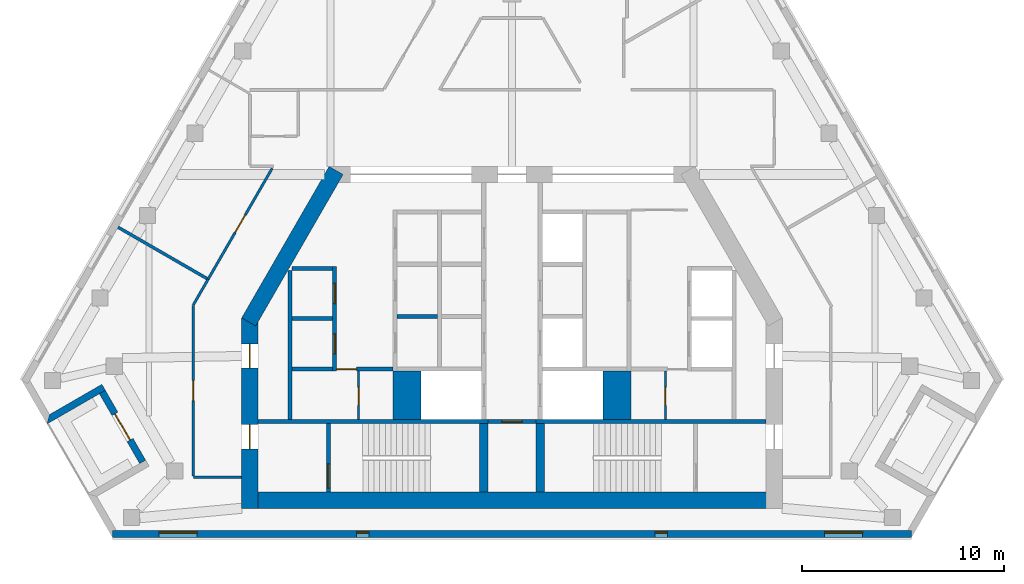
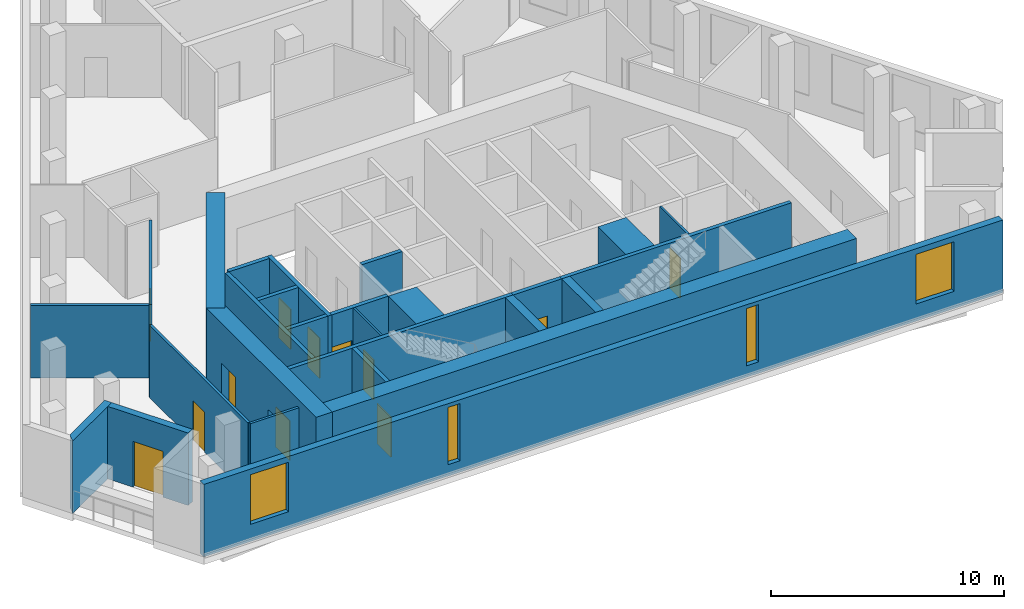
# One storey, part 2 of 8: 28 walls, 12 doors, 4 windows, 16 openings.
"""IFC4 building model written with IfcOpenShell, lengths in metres."""

import ifcopenshell
import ifcopenshell.guid

model = None  # the IFC model being written
_history = None  # IfcOwnerHistory: only IFC2X3 demands one
_inside = {}  # id of a spatial element -> (the spatial element, [elements in it])
_under = {}  # id of a project, library or spatial element -> (it, [spatial elements below it])
_declared = {}  # id of a project -> (the project, [libraries it declares])
_typed = {}  # id of a type object -> (the type object, [elements of that type])
_made_of = {}  # id of a material, layer set ... -> (it, [elements and type objects made of it])


def new_model(schema):
    """Start an empty IFC model of exactly this schema.

    Asked for "IFC4X3", IfcOpenShell would pick the latest addendum, in which some entities
    have other attributes; the version numbers below select the first issue.
    IFC2X3 requires an IfcOwnerHistory on every rooted entity: one is made here for all.
    """
    global model, _history
    if schema == "IFC4X3":
        model = ifcopenshell.file(schema_version=(4, 3, 0, 0))
    else:
        model = ifcopenshell.file(schema=schema)
    _inside.clear()
    _under.clear()
    _declared.clear()
    _typed.clear()
    _made_of.clear()
    _history = None
    if model.schema == "IFC2X3":
        org = make("IfcOrganization", Name="unknown")
        user = make(
            "IfcPersonAndOrganization",
            ThePerson=make("IfcPerson", FamilyName="unknown"),
            TheOrganization=org,
        )
        app = make(
            "IfcApplication",
            ApplicationDeveloper=org,
            Version="unknown",
            ApplicationFullName="unknown",
            ApplicationIdentifier="unknown",
        )
        _history = make(
            "IfcOwnerHistory",
            OwningUser=user,
            OwningApplication=app,
            ChangeAction="ADDED",
            CreationDate=0,
        )
    return model


def make(cls, **values):
    """One entity of the class cls with the attributes given. An attribute that is None is left unset."""
    return model.create_entity(
        cls, **{name: value for name, value in values.items() if value is not None}
    )


def rooted(cls, **values):
    """An entity with a GlobalId (a new one), such as an element, a storey or a relation."""
    return make(cls, GlobalId=ifcopenshell.guid.new(), OwnerHistory=_history, **values)


def si_unit(unit_type, name, prefix=None):
    """IfcSIUnit, for example si_unit("LENGTHUNIT", "METRE", prefix="MILLI")."""
    return make("IfcSIUnit", UnitType=unit_type, Prefix=prefix, Name=name)


def assignment(units):
    """IfcUnitAssignment: the units of a project."""
    return None if units is None else make("IfcUnitAssignment", Units=units)


def point(xyz):
    """IfcCartesianPoint."""
    return None if xyz is None else make("IfcCartesianPoint", Coordinates=xyz)


def direction(xyz):
    """IfcDirection."""
    return None if xyz is None else make("IfcDirection", DirectionRatios=xyz)


def frame(location, z_axis=None, x_axis=None):
    """IfcAxis2Placement3D, a coordinate frame: its origin and axes. An axis left out is left unset."""
    return make(
        "IfcAxis2Placement3D",
        Location=point(location),
        Axis=direction(z_axis),
        RefDirection=direction(x_axis),
    )


def frame_2d(location, x_axis=None):
    """IfcAxis2Placement2D, a coordinate frame in the plane: its origin and x axis."""
    return make(
        "IfcAxis2Placement2D", Location=point(location), RefDirection=direction(x_axis)
    )


def origin():
    """The frame at (0, 0, 0) with its axes left unset."""
    return frame((0.0, 0.0, 0.0))


def place(relative_to, where):
    """IfcLocalPlacement: puts the frame where relative to a parent placement (None: the world)."""
    return make(
        "IfcLocalPlacement", PlacementRelTo=relative_to, RelativePlacement=where
    )


def context(
    kind, dimensions, precision=None, world=None, true_north=None, identifier=None
):
    """IfcGeometricRepresentationContext, for example the 3D "Model" context."""
    return make(
        "IfcGeometricRepresentationContext",
        ContextIdentifier=identifier,
        ContextType=kind,
        CoordinateSpaceDimension=dimensions,
        Precision=precision,
        WorldCoordinateSystem=world,
        TrueNorth=true_north,
    )


def subcontext(parent, identifier, kind, view, scale=None):
    """IfcGeometricRepresentationSubContext, for example "Body" below "Model"."""
    return make(
        "IfcGeometricRepresentationSubContext",
        ContextIdentifier=identifier,
        ContextType=kind,
        ParentContext=parent,
        TargetScale=scale,
        TargetView=view,
    )


def project(units=None, contexts=None):
    """IfcProject with its units and contexts."""
    return rooted(
        "IfcProject",
        Name="project",
        RepresentationContexts=contexts,
        UnitsInContext=assignment(units),
    )


def spatial(cls, under=None, at=None, **own):
    """A site, building, storey or space (cls), placed at a placement, below another one or the project."""
    s = rooted(cls, ObjectPlacement=at, **own)
    if under is not None:
        _under.setdefault(under.id(), (under, []))[1].append(s)
    return s


def polyline(points):
    """IfcPolyline through the points."""
    return make("IfcPolyline", Points=[point(p) for p in points])


def profile(cls, at=None, kind="AREA", **sizes):
    """A parametric profile (cls). Its sizes go by their IFC names, for example OverallWidth=200.0."""
    return make(cls, ProfileType=kind, Position=at, **sizes)


def rectangle(**sizes):
    """IfcRectangleProfileDef."""
    return profile("IfcRectangleProfileDef", **sizes)


def outline(outer, holes=None, kind="AREA"):
    """IfcArbitraryClosedProfileDef: a profile drawn as a closed curve; with holes, ...WithVoids."""
    if holes is None:
        return make("IfcArbitraryClosedProfileDef", ProfileType=kind, OuterCurve=outer)
    return make(
        "IfcArbitraryProfileDefWithVoids",
        ProfileType=kind,
        OuterCurve=outer,
        InnerCurves=holes,
    )


def extrude(swept, where, along, depth):
    """IfcExtrudedAreaSolid: the profile swept, set in the frame where, extruded along a direction by depth."""
    return make(
        "IfcExtrudedAreaSolid",
        SweptArea=swept,
        Position=where,
        ExtrudedDirection=direction(along),
        Depth=depth,
    )


def shape(context_of_items, identifier, shape_type, items):
    """IfcShapeRepresentation: the items that make up one representation, for example the "Body"."""
    return make(
        "IfcShapeRepresentation",
        ContextOfItems=context_of_items,
        RepresentationIdentifier=identifier,
        RepresentationType=shape_type,
        Items=items,
    )


def material(Name=None, Category=None):
    """IfcMaterial."""
    return make("IfcMaterial", Name=Name, Category=Category)


def layer(
    of_material, thickness, ventilated=None, Name=None, Category=None, Priority=None
):
    """IfcMaterialLayer: one layer of a wall or slab, of a material (None: an air gap)."""
    return make(
        "IfcMaterialLayer",
        Material=of_material,
        LayerThickness=thickness,
        IsVentilated=ventilated,
        Name=Name,
        Category=Category,
        Priority=Priority,
    )


def layer_set(layers, Name=None):
    """IfcMaterialLayerSet."""
    return make("IfcMaterialLayerSet", MaterialLayers=layers, LayerSetName=Name)


def made_of(thing, what):
    """Note that an element or type object is made of a material, layer set ...; save() writes the relation."""
    if what is not None:
        _made_of.setdefault(what.id(), (what, []))[1].append(thing)
    return thing


def type_object(cls, material=None, **own):
    """A type object (cls), such as IfcWallType, which elements share."""
    return made_of(rooted(cls, **own), material)


def element(
    cls,
    number,
    at=None,
    inside=None,
    cuts=None,
    type_object=None,
    material=None,
    context=None,
    identifier="Body",
    shape_type=None,
    held_by="IfcProductDefinitionShape",
    body=None,
    shapes=None,
    **own,
):
    """One element of the class cls, such as IfcWall. Its Tag is "e" and its number.

    at: its placement. inside: the storey or other place that contains it. cuts: it is an
    opening in that element (IfcRelVoidsElement). A single representation is given by context,
    identifier, shape_type and body (its items); several are given by shapes. held_by: the class
    of the entity that holds the representations. save() writes the other relations.
    """
    e = rooted(cls, Tag="e%d" % number, ObjectPlacement=at, **own)
    if body is not None:
        shapes = [shape(context, identifier, shape_type, body)]
    if shapes is not None:
        e.Representation = make(held_by, Representations=shapes)
    if inside is not None:
        _inside.setdefault(inside.id(), (inside, []))[1].append(e)
    if cuts is not None:
        rooted(
            "IfcRelVoidsElement", RelatingBuildingElement=cuts, RelatedOpeningElement=e
        )
    if type_object is not None:
        _typed.setdefault(type_object.id(), (type_object, []))[1].append(e)
    return made_of(e, material)


def fill(opening, filler):
    """IfcRelFillsElement: the door or window that sits in an opening."""
    return rooted(
        "IfcRelFillsElement",
        RelatingOpeningElement=opening,
        RelatedBuildingElement=filler,
    )


def aggregate(whole, parts):
    """IfcRelAggregates: a whole, such as a stair, and the parts it consists of."""
    return rooted("IfcRelAggregates", RelatingObject=whole, RelatedObjects=parts)


def save(model, path):
    """Write the relations noted so far, then the file.

    IfcRelAggregates (storeys below a building ...), IfcRelContainedInSpatialStructure (elements
    in a storey), IfcRelDefinesByType, IfcRelAssociatesMaterial and IfcRelDeclares: one each for
    every whole, place, type object, material and project.
    """
    for whole, parts in _under.values():
        aggregate(whole, parts)
    for where, things in _inside.values():
        rooted(
            "IfcRelContainedInSpatialStructure",
            RelatedElements=things,
            RelatingStructure=where,
        )
    for kind, things in _typed.values():
        rooted("IfcRelDefinesByType", RelatedObjects=things, RelatingType=kind)
    for what, things in _made_of.values():
        rooted("IfcRelAssociatesMaterial", RelatedObjects=things, RelatingMaterial=what)
    for by, libraries in _declared.values():
        rooted("IfcRelDeclares", RelatingContext=by, RelatedDefinitions=libraries)
    model.write(path)


model = new_model("IFC4")

# Units and contexts
model_context = context("Model", 3, precision=1e-05, world=origin(), true_north=direction((0.0, 1.0)))
body_context = subcontext(model_context, "Body", "Model", "MODEL_VIEW")
ifc_project = project(units=[si_unit("LENGTHUNIT", "METRE"), si_unit("AREAUNIT", "SQUARE_METRE"), si_unit("VOLUMEUNIT", "CUBIC_METRE"), si_unit("PLANEANGLEUNIT", "RADIAN"), si_unit("MASSUNIT", "GRAM", prefix="KILO")], contexts=[model_context])

# Site, building, storey
site_placement = place(None, origin())
site = spatial("IfcSite", under=ifc_project, at=site_placement, CompositionType="ELEMENT")
building_placement = place(site_placement, origin())
building = spatial("IfcBuilding", under=site, at=building_placement, Name="Fogline Exchange Tower", CompositionType="ELEMENT")
storey_placement = place(building_placement, frame((0.0, 0.0, 322.5)))
storey = spatial("IfcBuildingStorey", under=building, at=storey_placement, Name="L73", CompositionType="ELEMENT", Elevation=322.5)

# Wall, opening, door
ifc_material_1 = material(Name="Blockwork partition", Category="masonry")
ifc_layer_1 = layer(ifc_material_1, 0.10009765625)
ifc_layer_set_1 = layer_set([ifc_layer_1], Name="CW10")
wall_type_1 = type_object("IfcWallType", Name="CW10", PredefinedType="PARTITIONING", material=ifc_layer_set_1)
wall_1_placement = place(storey_placement, frame((-7.60009765625, 5.85009765625, 0.0), z_axis=(0.0, 0.0, 1.0), x_axis=(0.0, 1.0, 0.0)))
wall_1 = element("IfcWall", 1, at=wall_1_placement, inside=storey, type_object=wall_type_1, Name="WC partition", PredefinedType="PARTITIONING", context=body_context, shape_type="SweptSolid", body=[
    extrude(rectangle(XDim=2.39990234375, YDim=0.10009765625, at=frame_2d((1.199951171875, 0.0))), origin(), (0.0, 0.0, 1.0), 3.800048828125),
])
opening_1_placement = place(wall_1_placement, frame((0.699951171875, 0.0, 0.0)))
opening_1 = element("IfcOpeningElement", 2, at=opening_1_placement, cuts=wall_1, Name="Opening T23-C013", PredefinedType="OPENING", context=body_context, shape_type="SweptSolid", body=[
    extrude(rectangle(XDim=0.89990234375, YDim=2.10009765625, at=frame_2d((0.449951171875, 1.050048828125))), frame((0.0, 0.06005859375, 0.0), z_axis=(0.0, -1.0, 0.0), x_axis=(1.0, 0.0, 0.0)), (0.0, 0.0, 1.0), 0.1201171875),
])
ifc_material_2 = material(Name="Steel and timber fire door", Category="steel")
door_type_1 = type_object("IfcDoorType", Name="D-CS1", OperationType="SINGLE_SWING_RIGHT", PredefinedType="DOOR", material=ifc_material_2)
door_1_placement = place(opening_1_placement, frame((0.89990234375, 0.0, 0.0), z_axis=(0.0, 0.0, 1.0), x_axis=(-1.0, 0.0, 0.0)))
door_1 = element("IfcDoor", 3, at=door_1_placement, inside=storey, type_object=door_type_1, Name="Door to Cleaner's Store", OperationType="SINGLE_SWING_RIGHT", OverallHeight=2.10009765625, OverallWidth=0.89990234375, PredefinedType="DOOR", context=body_context, shape_type="SweptSolid", body=[
    extrude(rectangle(XDim=0.89990234375, YDim=2.10009765625, at=frame_2d((0.449951171875, 1.050048828125))), frame((0.0, 0.02490234375, 0.0), z_axis=(0.0, -1.0, 0.0), x_axis=(1.0, 0.0, 0.0)), (0.0, 0.0, 1.0), 0.050048828125),
])
fill(opening_1, door_1)

wall_2_placement = place(storey_placement, frame((7.60009765625, 5.85009765625, 0.0), z_axis=(0.0, 0.0, 1.0), x_axis=(0.0, 1.0, 0.0)))
wall_2 = element("IfcWall", 4, at=wall_2_placement, inside=storey, type_object=wall_type_1, Name="WC partition", PredefinedType="PARTITIONING", context=body_context, shape_type="SweptSolid", body=[
    extrude(rectangle(XDim=2.39990234375, YDim=0.10009765625, at=frame_2d((1.199951171875, 0.0))), origin(), (0.0, 0.0, 1.0), 3.800048828125),
])
opening_2_placement = place(wall_2_placement, frame((0.699951171875, 0.0, 0.0)))
opening_2 = element("IfcOpeningElement", 5, at=opening_2_placement, cuts=wall_2, Name="Opening T23-C019", PredefinedType="OPENING", context=body_context, shape_type="SweptSolid", body=[
    extrude(rectangle(XDim=0.89990234375, YDim=2.10009765625, at=frame_2d((0.449951171875, 1.050048828125))), frame((0.0, 0.06005859375, 0.0), z_axis=(0.0, -1.0, 0.0), x_axis=(1.0, 0.0, 0.0)), (0.0, 0.0, 1.0), 0.1201171875),
])
door_2_placement = place(opening_2_placement, origin())
door_2 = element("IfcDoor", 6, at=door_2_placement, inside=storey, type_object=door_type_1, Name="Door to Cleaner's Store", OperationType="SINGLE_SWING_LEFT", OverallHeight=2.10009765625, OverallWidth=0.89990234375, PredefinedType="DOOR", context=body_context, shape_type="SweptSolid", body=[
    extrude(rectangle(XDim=0.89990234375, YDim=2.10009765625, at=frame_2d((0.449951171875, 1.050048828125))), frame((0.0, 0.02490234375, 0.0), z_axis=(0.0, -1.0, 0.0), x_axis=(1.0, 0.0, 0.0)), (0.0, 0.0, 1.0), 0.050048828125),
])
fill(opening_2, door_2)

# Walls
ifc_material_3 = material(Name="Concrete C60", Category="concrete")
ifc_layer_2 = layer(ifc_material_3, 1.39990234375)
ifc_layer_set_2 = layer_set([ifc_layer_2], Name="CW140")
wall_type_2 = type_object("IfcWallType", Name="CW140", PredefinedType="SOLIDWALL", material=ifc_layer_set_2)
for number, where, z_axis, x_axis, name in (
    (7, (-5.199951171875, 5.85009765625, -0.39990234375), (0.0, 0.0, 1.0), (0.0, 1.0, 0.0), "Lift shaft block wall"),
    (8, (5.199951171875, 5.85009765625, -0.39990234375), (0.0, 0.0, 1.0), (0.0, 1.0, 0.0), "Lift shaft block wall"),
):
    element("IfcWall", number, at=place(storey_placement, frame(where, z_axis=z_axis, x_axis=x_axis)), inside=storey, type_object=wall_type_2, Name=name, PredefinedType="SOLIDWALL", context=body_context, shape_type="SweptSolid", body=[
        extrude(rectangle(XDim=2.39990234375, YDim=1.39990234375, at=frame_2d((1.199951171875, 0.0))), origin(), (0.0, 0.0, 1.0), 4.199951171875),
    ])
ifc_material_4 = material(Name="Concrete C40", Category="concrete")
ifc_layer_3 = layer(ifc_material_4, 0.199951171875)
ifc_layer_set_3 = layer_set([ifc_layer_3], Name="CW20")
wall_type_3 = type_object("IfcWallType", Name="CW20", PredefinedType="SOLIDWALL", material=ifc_layer_set_3)
wall_3_placement = place(storey_placement, frame((-11.0, 5.85009765625, 0.0), z_axis=(0.0, 0.0, 1.0), x_axis=(0.0, 1.0, 0.0)))
element("IfcWall", 9, at=wall_3_placement, inside=storey, type_object=wall_type_3, Name="Service room wall", PredefinedType="SOLIDWALL", context=body_context, shape_type="SweptSolid", body=[
    extrude(rectangle(XDim=7.39990234375, YDim=0.199951171875, at=frame_2d((3.699951171875, 0.0))), origin(), (0.0, 0.0, 1.0), 3.800048828125),
])
for number, where, z_axis, x_axis, name in (
    (10, (-10.89990234375, 10.85009765625, 0.0), (0.0, 0.0, 1.0), (1.0, 0.0, 0.0), "Service room wall"),
    (11, (-5.699951171875, 10.949951171875, 0.0), (0.0, 0.0, 1.0), (1.0, 0.0, 0.0), "Service room wall"),
):
    element("IfcWall", number, at=place(storey_placement, frame(where, z_axis=z_axis, x_axis=x_axis)), inside=storey, type_object=wall_type_3, Name=name, PredefinedType="SOLIDWALL", context=body_context, shape_type="SweptSolid", body=[
        extrude(rectangle(XDim=2.0, YDim=0.199951171875, at=frame_2d((1.0, 0.0))), origin(), (0.0, 0.0, 1.0), 3.800048828125),
    ])

# Wall, opening, door
wall_4_placement = place(storey_placement, frame((-8.699951171875, 8.35009765625, 0.0), z_axis=(0.0, 0.0, 1.0), x_axis=(1.0, 0.0, 0.0)))
wall_4 = element("IfcWall", 12, at=wall_4_placement, inside=storey, type_object=wall_type_3, Name="WC wall", PredefinedType="SOLIDWALL", context=body_context, shape_type="SweptSolid", body=[
    extrude(rectangle(XDim=2.800048828125, YDim=0.199951171875, at=frame_2d((1.39990234375, 0.0))), origin(), (0.0, 0.0, 1.0), 3.800048828125),
])
opening_3_placement = place(wall_4_placement, origin())
opening_3 = element("IfcOpeningElement", 13, at=opening_3_placement, cuts=wall_4, Name="Opening T23-C012", PredefinedType="OPENING", context=body_context, shape_type="SweptSolid", body=[
    extrude(rectangle(XDim=1.0, YDim=2.10009765625, at=frame_2d((0.5, 1.050048828125))), frame((0.0, 0.10986328125, 0.0), z_axis=(0.0, -1.0, 0.0), x_axis=(1.0, 0.0, 0.0)), (0.0, 0.0, 1.0), 0.219970703125),
])
door_type_2 = type_object("IfcDoorType", Name="D-WC1", OperationType="SINGLE_SWING_LEFT", PredefinedType="DOOR", material=ifc_material_2)
door_3_placement = place(opening_3_placement, frame((1.0, 0.0, 0.0), z_axis=(0.0, 0.0, 1.0), x_axis=(-1.0, 0.0, 0.0)))
door_3 = element("IfcDoor", 14, at=door_3_placement, inside=storey, type_object=door_type_2, Name="Door to Men's WC", OperationType="SINGLE_SWING_LEFT", OverallHeight=2.10009765625, OverallWidth=1.0, PredefinedType="DOOR", context=body_context, shape_type="SweptSolid", body=[
    extrude(rectangle(XDim=1.0, YDim=2.10009765625, at=frame_2d((0.5, 1.050048828125))), frame((0.0, 0.02490234375, 0.0), z_axis=(0.0, -1.0, 0.0), x_axis=(1.0, 0.0, 0.0)), (0.0, 0.0, 1.0), 0.050048828125),
])
fill(opening_3, door_3)

# Wall
ifc_layer_4 = layer(ifc_material_4, 0.199951171875)
ifc_layer_set_4 = layer_set([ifc_layer_4], Name="CW20R")
wall_type_4 = type_object("IfcWallType", Name="CW20R", PredefinedType="SOLIDWALL", material=ifc_layer_set_4)
wall_5_placement = place(storey_placement, frame((-12.60009765625, 5.75, -0.39990234375), z_axis=(0.0, 0.0, 1.0), x_axis=(1.0, 0.0, 0.0)))
element("IfcWall", 15, at=wall_5_placement, inside=storey, type_object=wall_type_4, Name="Stair enclosure wall", PredefinedType="SOLIDWALL", context=body_context, shape_type="SweptSolid", body=[
    extrude(rectangle(XDim=11.400146484375, YDim=0.199951171875, at=frame_2d((5.7001953125, 0.0))), origin(), (0.0, 0.0, 1.0), 4.199951171875),
])

# Wall, opening, door
wall_6_placement = place(storey_placement, frame((-1.199951171875, 5.75, -0.39990234375), z_axis=(0.0, 0.0, 1.0), x_axis=(1.0, 0.0, 0.0)))
wall_6 = element("IfcWall", 16, at=wall_6_placement, inside=storey, type_object=wall_type_4, Name="Stair enclosure wall", PredefinedType="SOLIDWALL", context=body_context, shape_type="SweptSolid", body=[
    extrude(rectangle(XDim=2.39990234375, YDim=0.199951171875, at=frame_2d((1.199951171875, 0.0))), origin(), (0.0, 0.0, 1.0), 4.199951171875),
])
opening_4_placement = place(wall_6_placement, frame((0.699951171875, 0.0, 0.39990234375)))
opening_4 = element("IfcOpeningElement", 17, at=opening_4_placement, cuts=wall_6, Name="Opening T23-C011", PredefinedType="OPENING", context=body_context, shape_type="SweptSolid", body=[
    extrude(rectangle(XDim=1.0, YDim=2.10009765625, at=frame_2d((0.5, 1.050048828125))), frame((0.0, 0.10986328125, 0.0), z_axis=(0.0, -1.0, 0.0), x_axis=(1.0, 0.0, 0.0)), (0.0, 0.0, 1.0), 0.219970703125),
])
door_type_3 = type_object("IfcDoorType", Name="D-RM1", OperationType="SINGLE_SWING_LEFT", PredefinedType="DOOR", material=ifc_material_2)
door_4_placement = place(opening_4_placement, frame((1.0, 0.0, 0.0), z_axis=(0.0, 0.0, 1.0), x_axis=(-1.0, 0.0, 0.0)))
door_4 = element("IfcDoor", 18, at=door_4_placement, inside=storey, type_object=door_type_3, Name="Door to Library Store", OperationType="SINGLE_SWING_RIGHT", OverallHeight=2.10009765625, OverallWidth=1.0, PredefinedType="DOOR", context=body_context, shape_type="SweptSolid", body=[
    extrude(rectangle(XDim=1.0, YDim=2.10009765625, at=frame_2d((0.5, 1.050048828125))), frame((0.0, 0.02490234375, 0.0), z_axis=(0.0, -1.0, 0.0), x_axis=(1.0, 0.0, 0.0)), (0.0, 0.0, 1.0), 0.050048828125),
])
fill(opening_4, door_4)

# Wall
wall_7_placement = place(storey_placement, frame((1.199951171875, 5.75, -0.39990234375), z_axis=(0.0, 0.0, 1.0), x_axis=(1.0, 0.0, 0.0)))
element("IfcWall", 19, at=wall_7_placement, inside=storey, type_object=wall_type_4, Name="Stair enclosure wall", PredefinedType="SOLIDWALL", context=body_context, shape_type="SweptSolid", body=[
    extrude(rectangle(XDim=11.400146484375, YDim=0.199951171875, at=frame_2d((5.7001953125, 0.0))), origin(), (0.0, 0.0, 1.0), 4.199951171875),
])

# Wall, opening, door
wall_8_placement = place(storey_placement, frame((-9.10009765625, 2.25, -0.39990234375), z_axis=(0.0, 0.0, 1.0), x_axis=(0.0, 1.0, 0.0)))
wall_8 = element("IfcWall", 20, at=wall_8_placement, inside=storey, type_object=wall_type_4, Name="Stair enclosure wall", PredefinedType="SOLIDWALL", context=body_context, shape_type="SweptSolid", body=[
    extrude(rectangle(XDim=3.39990234375, YDim=0.199951171875, at=frame_2d((1.699951171875, 0.0))), origin(), (0.0, 0.0, 1.0), 4.199951171875),
])
opening_5_placement = place(wall_8_placement, frame((0.199951171875, 0.0, 0.39990234375)))
opening_5 = element("IfcOpeningElement", 21, at=opening_5_placement, cuts=wall_8, Name="Opening T23-C015", PredefinedType="OPENING", context=body_context, shape_type="SweptSolid", body=[
    extrude(rectangle(XDim=1.199951171875, YDim=2.10009765625, at=frame_2d((0.60009765625, 1.050048828125))), frame((0.0, 0.10986328125, 0.0), z_axis=(0.0, -1.0, 0.0), x_axis=(1.0, 0.0, 0.0)), (0.0, 0.0, 1.0), 0.219970703125),
])
door_type_4 = type_object("IfcDoorType", Name="D-ST1", OperationType="SINGLE_SWING_LEFT", PredefinedType="DOOR", material=ifc_material_2)
door_5_placement = place(opening_5_placement, frame((1.199951171875, 0.0, 0.0), z_axis=(0.0, 0.0, 1.0), x_axis=(-1.0, 0.0, 0.0)))
door_5 = element("IfcDoor", 22, at=door_5_placement, inside=storey, type_object=door_type_4, Name="Stair door ST1", OperationType="SINGLE_SWING_RIGHT", OverallHeight=2.10009765625, OverallWidth=1.199951171875, PredefinedType="DOOR", context=body_context, shape_type="SweptSolid", body=[
    extrude(rectangle(XDim=1.199951171875, YDim=2.10009765625, at=frame_2d((0.60009765625, 1.050048828125))), frame((0.0, 0.02490234375, 0.0), z_axis=(0.0, -1.0, 0.0), x_axis=(1.0, 0.0, 0.0)), (0.0, 0.0, 1.0), 0.050048828125),
])
fill(opening_5, door_5)

# Wall, openings, doors
ifc_layer_5 = layer(ifc_material_4, 0.199951171875)
ifc_layer_set_5 = layer_set([ifc_layer_5], Name="CW20S")
wall_type_5 = type_object("IfcWallType", Name="CW20S", PredefinedType="SOLIDWALL", material=ifc_layer_set_5)
wall_9_placement = place(storey_placement, frame((-8.800048828125, 8.25, -0.39990234375), z_axis=(0.0, 0.0, 1.0), x_axis=(0.0, 1.0, 0.0)))
wall_9 = element("IfcWall", 23, at=wall_9_placement, inside=storey, type_object=wall_type_5, Name="Lift shaft wall", PredefinedType="SOLIDWALL", context=body_context, shape_type="SweptSolid", body=[
    extrude(rectangle(XDim=5.199951171875, YDim=0.199951171875, at=frame_2d((2.60009765625, 0.0))), origin(), (0.0, 0.0, 1.0), 4.199951171875),
])
opening_6_placement = place(wall_9_placement, frame((0.85009765625, 0.0, 0.39990234375)))
opening_6 = element("IfcOpeningElement", 24, at=opening_6_placement, cuts=wall_9, Name="Opening T23-C001", PredefinedType="OPENING", context=body_context, shape_type="SweptSolid", body=[
    extrude(rectangle(XDim=1.0, YDim=2.10009765625, at=frame_2d((0.5, 1.050048828125))), frame((0.0, 0.10986328125, 0.0), z_axis=(0.0, -1.0, 0.0), x_axis=(1.0, 0.0, 0.0)), (0.0, 0.0, 1.0), 0.219970703125),
])
opening_7_placement = place(wall_9_placement, frame((3.35009765625, 0.0, 0.39990234375)))
opening_7 = element("IfcOpeningElement", 25, at=opening_7_placement, cuts=wall_9, Name="Opening T23-C002", PredefinedType="OPENING", context=body_context, shape_type="SweptSolid", body=[
    extrude(rectangle(XDim=1.0, YDim=2.10009765625, at=frame_2d((0.5, 1.050048828125))), frame((0.0, 0.10986328125, 0.0), z_axis=(0.0, -1.0, 0.0), x_axis=(1.0, 0.0, 0.0)), (0.0, 0.0, 1.0), 0.219970703125),
])
door_6_placement = place(opening_6_placement, origin())
door_6 = element("IfcDoor", 26, at=door_6_placement, inside=storey, type_object=door_type_3, Name="Door to Riser Room", OperationType="SINGLE_SWING_RIGHT", OverallHeight=2.10009765625, OverallWidth=1.0, PredefinedType="DOOR", context=body_context, shape_type="SweptSolid", body=[
    extrude(rectangle(XDim=1.0, YDim=2.10009765625, at=frame_2d((0.5, 1.050048828125))), frame((0.0, 0.02490234375, 0.0), z_axis=(0.0, -1.0, 0.0), x_axis=(1.0, 0.0, 0.0)), (0.0, 0.0, 1.0), 0.050048828125),
])
fill(opening_6, door_6)
door_7_placement = place(opening_7_placement, origin())
door_7 = element("IfcDoor", 27, at=door_7_placement, inside=storey, type_object=door_type_3, Name="Door to Plant Room", OperationType="SINGLE_SWING_RIGHT", OverallHeight=2.10009765625, OverallWidth=1.0, PredefinedType="DOOR", context=body_context, shape_type="SweptSolid", body=[
    extrude(rectangle(XDim=1.0, YDim=2.10009765625, at=frame_2d((0.5, 1.050048828125))), frame((0.0, 0.02490234375, 0.0), z_axis=(0.0, -1.0, 0.0), x_axis=(1.0, 0.0, 0.0)), (0.0, 0.0, 1.0), 0.050048828125),
])
fill(opening_7, door_7)

# Walls
for number, where, z_axis, x_axis, name in (
    (28, (-10.89990234375, 8.35009765625, -0.39990234375), (0.0, 0.0, 1.0), (1.0, 0.0, 0.0), "Lift shaft wall"),
    (29, (-10.89990234375, 13.35009765625, -0.39990234375), (0.0, 0.0, 1.0), (1.0, 0.0, 0.0), "Lift shaft wall"),
):
    element("IfcWall", number, at=place(storey_placement, frame(where, z_axis=z_axis, x_axis=x_axis)), inside=storey, type_object=wall_type_5, Name=name, PredefinedType="SOLIDWALL", context=body_context, shape_type="SweptSolid", body=[
        extrude(rectangle(XDim=2.0, YDim=0.199951171875, at=frame_2d((1.0, 0.0))), origin(), (0.0, 0.0, 1.0), 4.199951171875),
    ])
ifc_layer_6 = layer(ifc_material_4, 0.39990234375)
ifc_layer_set_6 = layer_set([ifc_layer_6], Name="CW40R")
wall_type_6 = type_object("IfcWallType", Name="CW40R", PredefinedType="SOLIDWALL", material=ifc_layer_set_6)
for number, where, z_axis, x_axis, name in (
    (30, (-1.39990234375, 2.25, -0.39990234375), (0.0, 0.0, 1.0), (0.0, 1.0, 0.0), "Stair and lift shaft wall"),
    (31, (1.39990234375, 2.25, -0.39990234375), (0.0, 0.0, 1.0), (0.0, 1.0, 0.0), "Stair and lift shaft wall"),
):
    element("IfcWall", number, at=place(storey_placement, frame(where, z_axis=z_axis, x_axis=x_axis)), inside=storey, type_object=wall_type_6, Name=name, PredefinedType="SOLIDWALL", context=body_context, shape_type="SweptSolid", body=[
        extrude(rectangle(XDim=3.39990234375, YDim=0.39990234375, at=frame_2d((1.699951171875, 0.0))), origin(), (0.0, 0.0, 1.0), 4.199951171875),
    ])
ifc_material_5 = material(Name="Brick masonry", Category="masonry")
ifc_layer_7 = layer(ifc_material_5, 0.340087890625)
ifc_layer_set_7 = layer_set([ifc_layer_7], Name="FW1")
wall_type_7 = type_object("IfcWallType", Name="FW1", PredefinedType="SOLIDWALL", material=ifc_layer_set_7)
wall_10_placement = place(storey_placement, origin())
element("IfcWall", 32, at=wall_10_placement, inside=storey, type_object=wall_type_7, Name="Brick wall L73 SW-s1", PredefinedType="SOLIDWALL", context=body_context, shape_type="SweptSolid", body=[
    extrude(outline(polyline([(-20.334716796875, 7.594482421875), (-20.1640625, 7.298828125), (-20.458984375, 7.128662109375), (-23.05810546875, 5.628173828125), (-23.058349609375, 5.62841796875), (-22.933349609375, 6.093994140625), (-20.334716796875, 7.594482421875)])), origin(), (0.0, 0.0, 1.0), 3.800048828125),
])

# Wall, opening, door
wall_11_placement = place(storey_placement, frame((-20.31201171875, 7.214111328125, 0.0), z_axis=(0.0, 0.0, 1.0), x_axis=(0.49999894854, -0.866026010844, 0.0)))
wall_11 = element("IfcWall", 33, at=wall_11_placement, inside=storey, type_object=wall_type_7, Name="Brick wall L73 SW-bk", PredefinedType="SOLIDWALL", context=body_context, shape_type="SweptSolid", body=[
    extrude(rectangle(XDim=4.0, YDim=0.340087890625, at=frame_2d((2.0, 0.0))), origin(), (0.0, 0.0, 1.0), 3.800048828125),
])
opening_8_placement = place(wall_11_placement, frame((1.25, 0.0, 0.0)))
opening_8 = element("IfcOpeningElement", 34, at=opening_8_placement, cuts=wall_11, Name="Opening T23-E021", PredefinedType="OPENING", context=body_context, shape_type="SweptSolid", body=[
    extrude(rectangle(XDim=1.5, YDim=2.39990234375, at=frame_2d((0.75, 1.199951171875))), frame((0.0, 0.18017578125, 0.0), z_axis=(0.0, -1.0, 0.0), x_axis=(1.0, 0.0, 0.0)), (0.0, 0.0, 1.0), 0.360107421875),
])
ifc_material_6 = material(Name="Aluminium and glass", Category="aluminium")
door_type_5 = type_object("IfcDoorType", Name="ED4", OperationType="SINGLE_SWING_LEFT", PredefinedType="DOOR", material=ifc_material_6)
door_8_placement = place(opening_8_placement, frame((1.5, 0.0, 0.0), z_axis=(0.0, 0.0, 1.0), x_axis=(-1.0, 0.0, 0.0)))
door_8 = element("IfcDoor", 35, at=door_8_placement, inside=storey, type_object=door_type_5, Name="Balcony door L73 SW", OperationType="DOUBLE_DOOR_SINGLE_SWING", OverallHeight=2.39990234375, OverallWidth=1.5, PredefinedType="DOOR", context=body_context, shape_type="SweptSolid", body=[
    extrude(rectangle(XDim=1.5, YDim=2.39990234375, at=frame_2d((0.75, 1.199951171875))), frame((0.0, 0.02490234375, 0.0), z_axis=(0.0, -1.0, 0.0), x_axis=(1.0, 0.0, 0.0)), (0.0, 0.0, 1.0), 0.050048828125),
])
fill(opening_8, door_8)

# Wall, openings, windows
wall_12_placement = place(storey_placement, frame((-19.807373046875, 0.169921875, 0.0), z_axis=(0.0, 0.0, 1.0), x_axis=(1.0, 0.0, 0.0)))
wall_12 = element("IfcWall", 36, at=wall_12_placement, inside=storey, type_object=wall_type_7, Name="Brick wall L73 S", PredefinedType="SOLIDWALL", context=body_context, shape_type="SweptSolid", body=[
    extrude(rectangle(XDim=39.61474609375, YDim=0.340087890625, at=frame_2d((19.807373046875, 0.0))), origin(), (0.0, 0.0, 1.0), 3.800048828125),
])
opening_9_placement = place(wall_12_placement, frame((2.307373046875, 0.0, 0.89990234375)))
opening_9 = element("IfcOpeningElement", 37, at=opening_9_placement, cuts=wall_12, Name="Opening W3", PredefinedType="OPENING", context=body_context, shape_type="SweptSolid", body=[
    extrude(rectangle(XDim=1.885009765625, YDim=2.60009765625, at=frame_2d((0.9423828125, 1.300048828125))), frame((0.0, 0.18017578125, 0.0), z_axis=(0.0, -1.0, 0.0), x_axis=(1.0, 0.0, 0.0)), (0.0, 0.0, 1.0), 0.360107421875),
])
opening_10_placement = place(wall_12_placement, frame((35.307373046875, 0.0, 0.89990234375)))
opening_10 = element("IfcOpeningElement", 38, at=opening_10_placement, cuts=wall_12, Name="Opening W3", PredefinedType="OPENING", context=body_context, shape_type="SweptSolid", body=[
    extrude(rectangle(XDim=1.885009765625, YDim=2.60009765625, at=frame_2d((0.9423828125, 1.300048828125))), frame((0.0, 0.18017578125, 0.0), z_axis=(0.0, -1.0, 0.0), x_axis=(1.0, 0.0, 0.0)), (0.0, 0.0, 1.0), 0.360107421875),
])
opening_11_placement = place(wall_12_placement, frame((12.107421875, 0.0, 0.60009765625)))
opening_11 = element("IfcOpeningElement", 39, at=opening_11_placement, cuts=wall_12, Name="Opening W5", PredefinedType="OPENING", context=body_context, shape_type="SweptSolid", body=[
    extrude(rectangle(XDim=0.60009765625, YDim=3.0, at=frame_2d((0.300048828125, 1.5))), frame((0.0, 0.18017578125, 0.0), z_axis=(0.0, -1.0, 0.0), x_axis=(1.0, 0.0, 0.0)), (0.0, 0.0, 1.0), 0.360107421875),
])
opening_12_placement = place(wall_12_placement, frame((26.907470703125, 0.0, 0.60009765625)))
opening_12 = element("IfcOpeningElement", 40, at=opening_12_placement, cuts=wall_12, Name="Opening W5", PredefinedType="OPENING", context=body_context, shape_type="SweptSolid", body=[
    extrude(rectangle(XDim=0.60009765625, YDim=3.0, at=frame_2d((0.300048828125, 1.5))), frame((0.0, 0.18017578125, 0.0), z_axis=(0.0, -1.0, 0.0), x_axis=(1.0, 0.0, 0.0)), (0.0, 0.0, 1.0), 0.360107421875),
])
window_type_1 = type_object("IfcWindowType", Name="W3", PartitioningType="SINGLE_PANEL", PredefinedType="WINDOW", material=ifc_material_6)
window_1_placement = place(opening_9_placement, origin())
window_1 = element("IfcWindow", 41, at=window_1_placement, inside=storey, type_object=window_type_1, Name="W3 W3", OverallHeight=2.60009765625, OverallWidth=1.885009765625, PartitioningType="SINGLE_PANEL", PredefinedType="WINDOW", context=body_context, shape_type="SweptSolid", body=[
    extrude(rectangle(XDim=1.885009765625, YDim=2.60009765625, at=frame_2d((0.9423828125, 1.300048828125))), frame((0.0, 0.110107421875, 0.0), z_axis=(0.0, -1.0, 0.0), x_axis=(1.0, 0.0, 0.0)), (0.0, 0.0, 1.0), 0.06005859375),
])
fill(opening_9, window_1)
window_2_placement = place(opening_10_placement, origin())
window_2 = element("IfcWindow", 42, at=window_2_placement, inside=storey, type_object=window_type_1, Name="W3 W3", OverallHeight=2.60009765625, OverallWidth=1.885009765625, PartitioningType="SINGLE_PANEL", PredefinedType="WINDOW", context=body_context, shape_type="SweptSolid", body=[
    extrude(rectangle(XDim=1.885009765625, YDim=2.60009765625, at=frame_2d((0.9423828125, 1.300048828125))), frame((0.0, 0.110107421875, 0.0), z_axis=(0.0, -1.0, 0.0), x_axis=(1.0, 0.0, 0.0)), (0.0, 0.0, 1.0), 0.06005859375),
])
fill(opening_10, window_2)
window_type_2 = type_object("IfcWindowType", Name="W5", PartitioningType="SINGLE_PANEL", PredefinedType="WINDOW", material=ifc_material_6)
window_3_placement = place(opening_11_placement, origin())
window_3 = element("IfcWindow", 43, at=window_3_placement, inside=storey, type_object=window_type_2, Name="W5 W5", OverallHeight=3.0, OverallWidth=0.60009765625, PartitioningType="SINGLE_PANEL", PredefinedType="WINDOW", context=body_context, shape_type="SweptSolid", body=[
    extrude(rectangle(XDim=0.60009765625, YDim=3.0, at=frame_2d((0.300048828125, 1.5))), frame((0.0, 0.110107421875, 0.0), z_axis=(0.0, -1.0, 0.0), x_axis=(1.0, 0.0, 0.0)), (0.0, 0.0, 1.0), 0.06005859375),
])
fill(opening_11, window_3)
window_4_placement = place(opening_12_placement, origin())
window_4 = element("IfcWindow", 44, at=window_4_placement, inside=storey, type_object=window_type_2, Name="W5 W5", OverallHeight=3.0, OverallWidth=0.60009765625, PartitioningType="SINGLE_PANEL", PredefinedType="WINDOW", context=body_context, shape_type="SweptSolid", body=[
    extrude(rectangle(XDim=0.60009765625, YDim=3.0, at=frame_2d((0.300048828125, 1.5))), frame((0.0, 0.110107421875, 0.0), z_axis=(0.0, -1.0, 0.0), x_axis=(1.0, 0.0, 0.0)), (0.0, 0.0, 1.0), 0.06005859375),
])
fill(opening_12, window_4)

# Wall, opening, door
ifc_material_7 = material(Name="Plasterboard corridor partition with mineral wool, 2 layers each side")
ifc_layer_8 = layer(ifc_material_7, 0.125)
ifc_layer_set_8 = layer_set([ifc_layer_8], Name="PW2")
wall_type_8 = type_object("IfcWallType", Name="PW2", PredefinedType="PARTITIONING", material=ifc_layer_set_8)
wall_13_placement = place(storey_placement, frame((-15.06591796875, 12.80615234375, 0.0), z_axis=(0.0, 0.0, 1.0), x_axis=(0.499972045304, 0.866041542834, 0.0)))
wall_13 = element("IfcWall", 45, at=wall_13_placement, inside=storey, type_object=wall_type_8, Name="wall-L73-W014", PredefinedType="PARTITIONING", context=body_context, shape_type="SweptSolid", body=[
    extrude(rectangle(XDim=6.350341796875, YDim=0.125, at=frame_2d((3.17529296875, 0.0))), origin(), (0.0, 0.0, 1.0), 3.800048828125),
])
opening_13_placement = place(wall_13_placement, frame((2.67529296875, 0.0, 0.0)))
opening_13 = element("IfcOpeningElement", 46, at=opening_13_placement, cuts=wall_13, Name="Opening T23-D004", PredefinedType="OPENING", context=body_context, shape_type="SweptSolid", body=[
    extrude(rectangle(XDim=1.0, YDim=2.10009765625, at=frame_2d((0.5, 1.050048828125))), frame((0.0, 0.072509765625, 0.0), z_axis=(0.0, -1.0, 0.0), x_axis=(1.0, 0.0, 0.0)), (0.0, 0.0, 1.0), 0.14501953125),
])
ifc_material_8 = material(Name="Fire-rated timber door leaf with steel frame", Category="steel")
door_type_6 = type_object("IfcDoorType", Name="D3", OperationType="SINGLE_SWING_LEFT", PredefinedType="DOOR", material=ifc_material_8)
door_9_placement = place(opening_13_placement, origin())
door_9 = element("IfcDoor", 47, at=door_9_placement, inside=storey, type_object=door_type_6, Name="door-L73-D004", OperationType="SINGLE_SWING_LEFT", OverallHeight=2.10009765625, OverallWidth=1.0, PredefinedType="DOOR", context=body_context, shape_type="SweptSolid", body=[
    extrude(rectangle(XDim=1.0, YDim=2.10009765625, at=frame_2d((0.5, 1.050048828125))), frame((0.0, 0.02490234375, 0.0), z_axis=(0.0, -1.0, 0.0), x_axis=(1.0, 0.0, 0.0)), (0.0, 0.0, 1.0), 0.050048828125),
])
fill(opening_13, door_9)

# Wall
wall_14_placement = place(storey_placement, frame((-13.39990234375, 3.0, 0.0), z_axis=(0.0, 0.0, 1.0), x_axis=(-1.0, 0.0, 0.0)))
element("IfcWall", 48, at=wall_14_placement, inside=storey, type_object=wall_type_8, Name="wall-L73-W015", PredefinedType="PARTITIONING", context=body_context, shape_type="SweptSolid", body=[
    extrude(rectangle(XDim=2.400146484375, YDim=0.125, at=frame_2d((1.2001953125, 0.0))), origin(), (0.0, 0.0, 1.0), 3.800048828125),
])

# Wall, opening, door
wall_15_placement = place(storey_placement, frame((-15.800048828125, 3.0625, 0.0), z_axis=(0.0, 0.0, 1.0), x_axis=(0.0, 1.0, 0.0)))
wall_15 = element("IfcWall", 49, at=wall_15_placement, inside=storey, type_object=wall_type_8, Name="wall-L73-W016", PredefinedType="PARTITIONING", context=body_context, shape_type="SweptSolid", body=[
    extrude(rectangle(XDim=8.44140625, YDim=0.125, at=frame_2d((4.220703125, 0.0))), origin(), (0.0, 0.0, 1.0), 3.800048828125),
])
opening_14_placement = place(wall_15_placement, frame((3.720703125, 0.0, 0.0)))
opening_14 = element("IfcOpeningElement", 50, at=opening_14_placement, cuts=wall_15, Name="Opening T23-D005", PredefinedType="OPENING", context=body_context, shape_type="SweptSolid", body=[
    extrude(rectangle(XDim=1.0, YDim=2.10009765625, at=frame_2d((0.5, 1.050048828125))), frame((0.0, 0.072509765625, 0.0), z_axis=(0.0, -1.0, 0.0), x_axis=(1.0, 0.0, 0.0)), (0.0, 0.0, 1.0), 0.14501953125),
])
door_10_placement = place(opening_14_placement, origin())
door_10 = element("IfcDoor", 51, at=door_10_placement, inside=storey, type_object=door_type_6, Name="door-L73-D005", OperationType="SINGLE_SWING_LEFT", OverallHeight=2.10009765625, OverallWidth=1.0, PredefinedType="DOOR", context=body_context, shape_type="SweptSolid", body=[
    extrude(rectangle(XDim=1.0, YDim=2.10009765625, at=frame_2d((0.5, 1.050048828125))), frame((0.0, 0.02490234375, 0.0), z_axis=(0.0, -1.0, 0.0), x_axis=(1.0, 0.0, 0.0)), (0.0, 0.0, 1.0), 0.050048828125),
])
fill(opening_14, door_10)

# Walls
wall_16_placement = place(storey_placement, frame((-15.800048828125, 11.534912109375, 0.0), z_axis=(0.0, 0.0, 1.0), x_axis=(0.500091943127, 0.865972313888, 0.0)))
element("IfcWall", 52, at=wall_16_placement, inside=storey, type_object=wall_type_8, Name="wall-L73-W017", PredefinedType="PARTITIONING", context=body_context, shape_type="SweptSolid", body=[
    extrude(rectangle(XDim=1.468017578125, YDim=0.125, at=frame_2d((0.73388671875, 0.0))), origin(), (0.0, 0.0, 1.0), 3.800048828125),
])
ifc_material_9 = material(Name="Plasterboard demising partition with mineral wool and acoustic board")
ifc_layer_9 = layer(ifc_material_9, 0.14990234375)
ifc_layer_set_9 = layer_set([ifc_layer_9], Name="PW3")
wall_type_9 = type_object("IfcWallType", Name="PW3", PredefinedType="PARTITIONING", material=ifc_layer_set_9)
wall_17_placement = place(storey_placement, frame((-15.1201171875, 12.83740234375, 0.0), z_axis=(0.0, 0.0, 1.0), x_axis=(-0.86600203994, 0.500040465182, 0.0)))
element("IfcWall", 53, at=wall_17_placement, inside=storey, type_object=wall_type_9, Name="wall-L73-W036", PredefinedType="PARTITIONING", context=body_context, shape_type="SweptSolid", body=[
    extrude(rectangle(XDim=5.0947265625, YDim=0.14990234375, at=frame_2d((2.54736328125, 0.0))), origin(), (0.0, 0.0, 1.0), 3.800048828125),
])
ifc_material_10 = material(Name="Concrete C50", Category="concrete")
ifc_layer_10 = layer(ifc_material_10, 0.800048828125)
ifc_layer_set_10 = layer_set([ifc_layer_10], Name="SW04")
wall_type_10 = type_object("IfcWallType", Name="SW04", PredefinedType="SHEAR", material=ifc_layer_set_10)
wall_18_placement = place(storey_placement, frame((-13.39990234375, 1.85009765625, 0.0), z_axis=(0.0, 0.0, 1.0), x_axis=(1.0, 0.0, 0.0)))
element("IfcWall", 54, at=wall_18_placement, inside=storey, type_object=wall_type_10, Name="L73-W901", PredefinedType="SHEAR", context=body_context, shape_type="SweptSolid", body=[
    extrude(rectangle(XDim=26.7998046875, YDim=0.800048828125, at=frame_2d((13.39990234375, 0.0))), origin(), (0.0, 0.0, 1.0), 4.199951171875),
])
wall_19_placement = place(storey_placement, frame((-8.71875, 18.199951171875, 0.0), z_axis=(0.0, 0.0, 1.0), x_axis=(-0.500015780397, -0.866016292776, 0.0)))
element("IfcWall", 55, at=wall_19_placement, inside=storey, type_object=wall_type_10, Name="L73-W905", PredefinedType="SHEAR", context=body_context, shape_type="SweptSolid", body=[
    extrude(rectangle(XDim=8.669677734375, YDim=0.800048828125, at=frame_2d((4.3349609375, 0.0))), origin(), (0.0, 0.0, 1.0), 4.199951171875),
])

# Wall, openings, doors
wall_20_placement = place(storey_placement, frame((-13.0, 10.891845703125, 0.0), z_axis=(0.0, 0.0, 1.0), x_axis=(0.0, -1.0, 0.0)))
wall_20 = element("IfcWall", 56, at=wall_20_placement, inside=storey, type_object=wall_type_10, Name="L73-W906", PredefinedType="SHEAR", context=body_context, shape_type="SweptSolid", body=[
    extrude(rectangle(XDim=9.44189453125, YDim=0.800048828125, at=frame_2d((4.720947265625, 0.0))), origin(), (0.0, 0.0, 1.0), 4.199951171875),
])
opening_15_placement = place(wall_20_placement, frame((5.291748046875, 0.0, 0.0)))
opening_15 = element("IfcOpeningElement", 57, at=opening_15_placement, cuts=wall_20, Name="Opening T23-C014", PredefinedType="OPENING", context=body_context, shape_type="SweptSolid", body=[
    extrude(rectangle(XDim=1.199951171875, YDim=2.10009765625, at=frame_2d((0.60009765625, 1.050048828125))), frame((0.0, 0.41015625, 0.0), z_axis=(0.0, -1.0, 0.0), x_axis=(1.0, 0.0, 0.0)), (0.0, 0.0, 1.0), 0.820068359375),
])
opening_16_placement = place(wall_20_placement, frame((1.291748046875, 0.0, 0.0)))
opening_16 = element("IfcOpeningElement", 58, at=opening_16_placement, cuts=wall_20, Name="Opening T23-C016", PredefinedType="OPENING", context=body_context, shape_type="SweptSolid", body=[
    extrude(rectangle(XDim=1.199951171875, YDim=2.10009765625, at=frame_2d((0.60009765625, 1.050048828125))), frame((0.0, 0.41015625, 0.0), z_axis=(0.0, -1.0, 0.0), x_axis=(1.0, 0.0, 0.0)), (0.0, 0.0, 1.0), 0.820068359375),
])
door_type_7 = type_object("IfcDoorType", Name="D-FR1", OperationType="SINGLE_SWING_RIGHT", PredefinedType="DOOR", material=ifc_material_2)
door_11_placement = place(opening_15_placement, origin())
door_11 = element("IfcDoor", 59, at=door_11_placement, inside=storey, type_object=door_type_7, Name="Front room door ST1", OperationType="SINGLE_SWING_LEFT", OverallHeight=2.10009765625, OverallWidth=1.199951171875, PredefinedType="DOOR", context=body_context, shape_type="SweptSolid", body=[
    extrude(rectangle(XDim=1.199951171875, YDim=2.10009765625, at=frame_2d((0.60009765625, 1.050048828125))), frame((0.0, 0.02490234375, 0.0), z_axis=(0.0, -1.0, 0.0), x_axis=(1.0, 0.0, 0.0)), (0.0, 0.0, 1.0), 0.050048828125),
])
fill(opening_15, door_11)
door_type_8 = type_object("IfcDoorType", Name="D-SV1", OperationType="SINGLE_SWING_LEFT", PredefinedType="DOOR", material=ifc_material_2)
door_12_placement = place(opening_16_placement, origin())
door_12 = element("IfcDoor", 60, at=door_12_placement, inside=storey, type_object=door_type_8, Name="Service door W", OperationType="SINGLE_SWING_LEFT", OverallHeight=2.10009765625, OverallWidth=1.199951171875, PredefinedType="DOOR", context=body_context, shape_type="SweptSolid", body=[
    extrude(rectangle(XDim=1.199951171875, YDim=2.10009765625, at=frame_2d((0.60009765625, 1.050048828125))), frame((0.0, 0.02490234375, 0.0), z_axis=(0.0, -1.0, 0.0), x_axis=(1.0, 0.0, 0.0)), (0.0, 0.0, 1.0), 0.050048828125),
])
fill(opening_16, door_12)

save(model, "model.ifc")
